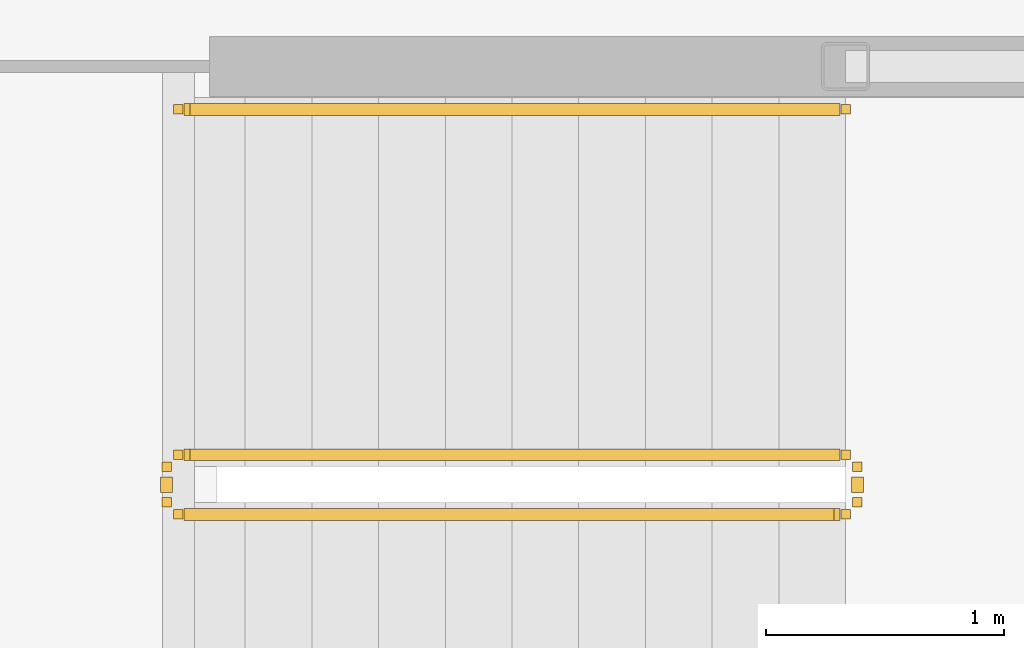
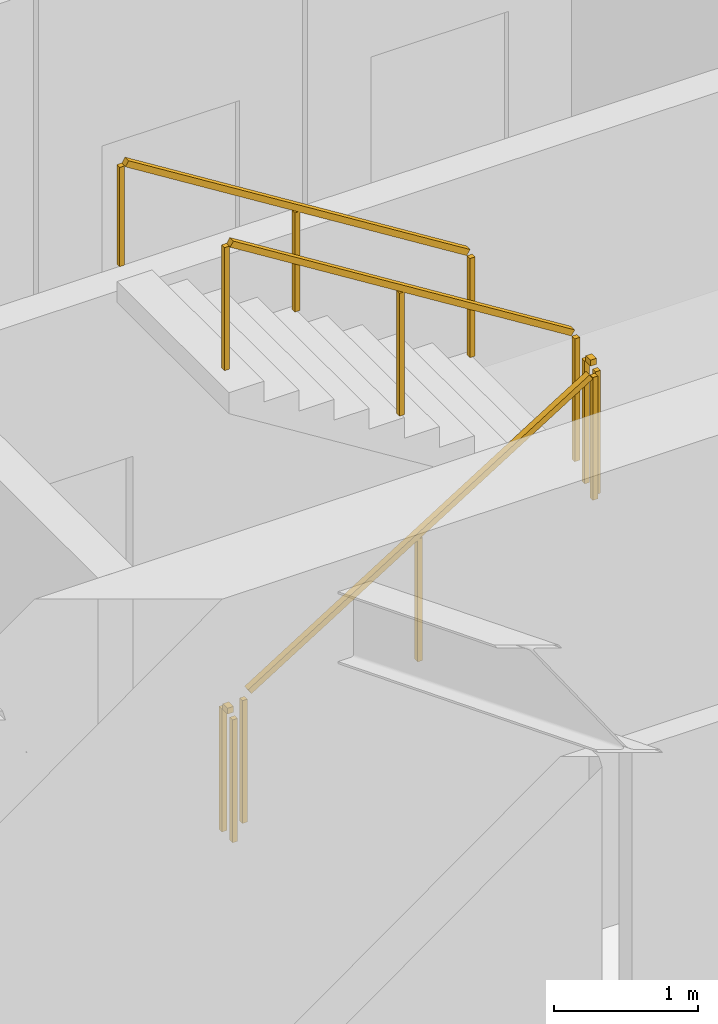
# One storey, part 28 of 31: 5 railings.
"""IFC4 building model written with IfcOpenShell, lengths in metres."""

from ifc_helpers import new_model, si_unit, direction, frame, origin, origin_2d, place, context, subcontext, project, spatial, rectangle, extrude, material, type_object, element, save


model = new_model("IFC4")

# Units and contexts
model_context = context("Model", 3, precision=1e-05, world=origin(), true_north=direction((0.0, 1.0)))
body_context = subcontext(model_context, "Body", "Model", "MODEL_VIEW")
ifc_project = project(units=[si_unit("LENGTHUNIT", "METRE"), si_unit("AREAUNIT", "SQUARE_METRE"), si_unit("VOLUMEUNIT", "CUBIC_METRE"), si_unit("PLANEANGLEUNIT", "RADIAN"), si_unit("MASSUNIT", "GRAM", prefix="KILO")], contexts=[model_context])

# Site, building, storey
site_placement = place(None, origin())
site = spatial("IfcSite", under=ifc_project, at=site_placement, CompositionType="ELEMENT")
building_placement = place(site_placement, origin())
building = spatial("IfcBuilding", under=site, at=building_placement, Name="Kazma Halo Residences", CompositionType="ELEMENT")
storey_placement = place(building_placement, frame((0.0, 0.0, 248.25)))
storey = spatial("IfcBuildingStorey", under=building, at=storey_placement, Name="L62", CompositionType="ELEMENT", Elevation=248.25)

# Railings
ifc_material_1 = material(Name="Painted Steel S355", Category="steel")
railing_type_1 = type_object("IfcRailingType", Name="RLG-STAIR-GRD-1100", PredefinedType="GUARDRAIL", material=ifc_material_1)
railing_1_placement = place(storey_placement, frame((53.199951171875, 35.5, 0.175048828125)))
element("IfcRailing", 1, at=railing_1_placement, inside=storey, type_object=railing_type_1, Name="L62 ST-03 stair guard 1", PredefinedType="GUARDRAIL", context=body_context, shape_type="SweptSolid", body=[
    extrude(rectangle(XDim=0.050048828125, YDim=0.050048828125, at=origin_2d()), frame((0.0361328125, 0.0, 1.09765625), z_axis=(0.848002457836, 0.0, 0.529992293815), x_axis=(0.0, 1.0, 0.0)), (0.0, 0.0, 1.0), 3.216796875),
    extrude(rectangle(XDim=0.0400390625, YDim=0.0400390625, at=origin_2d()), origin(), (0.0, 0.0, 1.0), 1.0380859375),
    extrude(rectangle(XDim=0.0400390625, YDim=0.0400390625, at=origin_2d()), frame((1.39990234375, 0.0, 0.875)), (0.0, 0.0, 1.0), 1.0380859375),
    extrude(rectangle(XDim=0.0400390625, YDim=0.0400390625, at=origin_2d()), frame((2.800048828125, 0.0, 1.75)), (0.0, 0.0, 1.0), 1.0380859375),
])
railing_2_placement = place(storey_placement, frame((56.050048828125, 35.550048828125, 1.925048828125)))
element("IfcRailing", 2, at=railing_2_placement, inside=storey, type_object=railing_type_1, Name="L62 ST-03 stair guard 2", PredefinedType="GUARDRAIL", context=body_context, shape_type="SweptSolid", body=[
    extrude(rectangle(XDim=0.050048828125, YDim=0.050048828125, at=origin_2d()), frame((0.0, 0.04248046875, 1.0751953125), z_axis=(0.0, 1.0, 0.0), x_axis=(-1.0, 0.0, 0.0)), (0.0, 0.0, 1.0), 0.06494140625),
    extrude(rectangle(XDim=0.0400390625, YDim=0.0400390625, at=origin_2d()), origin(), (0.0, 0.0, 1.0), 1.0380859375),
    extrude(rectangle(XDim=0.0400390625, YDim=0.0400390625, at=origin_2d()), frame((0.0, 0.14990234375, 0.0)), (0.0, 0.0, 1.0), 1.0380859375),
])
railing_3_placement = place(storey_placement, frame((56.0, 35.75, 2.10009765625)))
element("IfcRailing", 3, at=railing_3_placement, inside=storey, type_object=railing_type_1, Name="L62 ST-03 stair guard 3", PredefinedType="GUARDRAIL", context=body_context, shape_type="SweptSolid", body=[
    extrude(rectangle(XDim=0.050048828125, YDim=0.050048828125, at=origin_2d()), frame((-0.0361328125, 0.0, 1.09765625), z_axis=(-0.848002457836, 0.0, 0.529992293815), x_axis=(0.0, -1.0, 0.0)), (0.0, 0.0, 1.0), 3.216796875),
    extrude(rectangle(XDim=0.0400390625, YDim=0.0400390625, at=origin_2d()), origin(), (0.0, 0.0, 1.0), 1.0380859375),
    extrude(rectangle(XDim=0.0400390625, YDim=0.0400390625, at=origin_2d()), frame((-1.39990234375, 0.0, 0.875)), (0.0, 0.0, 1.0), 1.0380859375),
    extrude(rectangle(XDim=0.0400390625, YDim=0.0400390625, at=origin_2d()), frame((-2.800048828125, 0.0, 1.75)), (0.0, 0.0, 1.0), 1.0380859375),
])
railing_4_placement = place(storey_placement, frame((53.14990234375, 35.550048828125, 0.0)))
element("IfcRailing", 4, at=railing_4_placement, inside=storey, type_object=railing_type_1, Name="L62 ST-03 stair guard 4", PredefinedType="GUARDRAIL", context=body_context, shape_type="SweptSolid", body=[
    extrude(rectangle(XDim=0.050048828125, YDim=0.050048828125, at=origin_2d()), frame((0.0, 0.04248046875, 1.0751953125), z_axis=(0.0, 1.0, 0.0), x_axis=(-1.0, 0.0, 0.0)), (0.0, 0.0, 1.0), 0.06494140625),
    extrude(rectangle(XDim=0.0400390625, YDim=0.0400390625, at=origin_2d()), origin(), (0.0, 0.0, 1.0), 1.0380859375),
    extrude(rectangle(XDim=0.0400390625, YDim=0.0400390625, at=origin_2d()), frame((0.0, 0.14990234375, 0.0)), (0.0, 0.0, 1.0), 1.0380859375),
])
ifc_material_2 = material(Name="Brushed Stainless Steel", Category="steel")
railing_type_2 = type_object("IfcRailingType", Name="RLG-STAIR-HND-900", PredefinedType="HANDRAIL", material=ifc_material_2)
railing_5_placement = place(storey_placement, frame((56.0, 37.199951171875, 2.10009765625)))
element("IfcRailing", 5, at=railing_5_placement, inside=storey, type_object=railing_type_2, Name="L62 ST-03 stair handrail 2", PredefinedType="HANDRAIL", context=body_context, shape_type="SweptSolid", body=[
    extrude(rectangle(XDim=0.050048828125, YDim=0.050048828125, at=origin_2d()), frame((-0.0361328125, 0.0, 0.8974609375), z_axis=(-0.848002457836, 0.0, 0.529992293815), x_axis=(0.0, -1.0, 0.0)), (0.0, 0.0, 1.0), 3.216796875),
    extrude(rectangle(XDim=0.0400390625, YDim=0.0400390625, at=origin_2d()), origin(), (0.0, 0.0, 1.0), 0.837890625),
    extrude(rectangle(XDim=0.0400390625, YDim=0.0400390625, at=origin_2d()), frame((-1.39990234375, 0.0, 0.875)), (0.0, 0.0, 1.0), 0.837890625),
    extrude(rectangle(XDim=0.0400390625, YDim=0.0400390625, at=origin_2d()), frame((-2.800048828125, 0.0, 1.75)), (0.0, 0.0, 1.0), 0.837890625),
])

save(model, "model.ifc")
